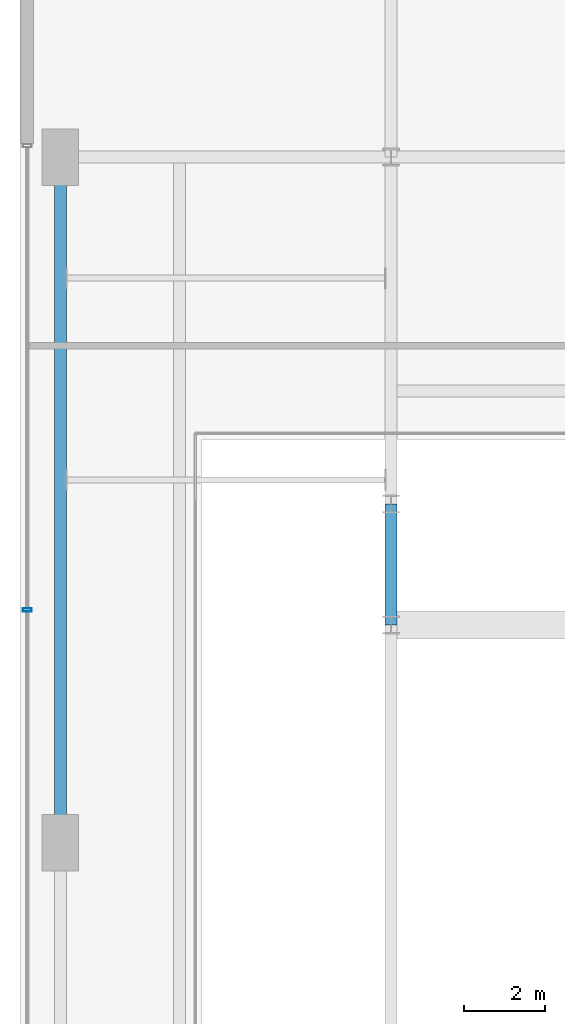
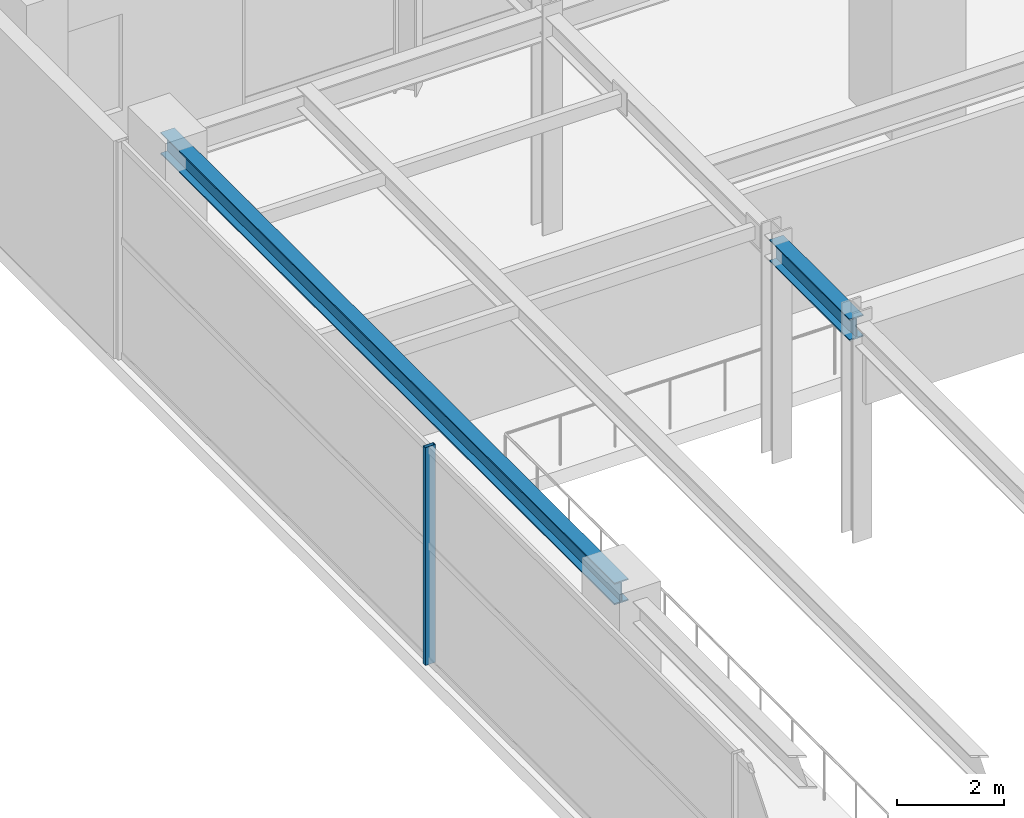
# One storey, part 10 of 35: 2 beams, 1 member, 1 element without a shape of its own.
"""IFC4 building model written with IfcOpenShell, lengths in metres."""

from ifc_helpers import new_model, si_unit, direction, frame, origin, origin_2d, place, context, subcontext, project, spatial, hollow_rectangle, i_section, extrude, source, transform, mapped, material, material_profile, profile_set, type_object, element, aggregate, save


model = new_model("IFC4")

# Units and contexts
model_context = context("Model", 3, precision=1e-05, world=origin(), true_north=direction((0.0, 1.0)))
body_context = subcontext(model_context, "Body", "Model", "MODEL_VIEW")
ifc_project = project(units=[si_unit("LENGTHUNIT", "METRE"), si_unit("AREAUNIT", "SQUARE_METRE"), si_unit("VOLUMEUNIT", "CUBIC_METRE"), si_unit("PLANEANGLEUNIT", "RADIAN"), si_unit("MASSUNIT", "GRAM", prefix="KILO")], contexts=[model_context])

# Site, building, storey
site_placement = place(None, origin())
site = spatial("IfcSite", under=ifc_project, at=site_placement, CompositionType="ELEMENT")
building_placement = place(site_placement, origin())
building = spatial("IfcBuilding", under=site, at=building_placement, Name="Nahalor Promenade Grand Hotel", CompositionType="ELEMENT")
storey_placement = place(building_placement, frame((0.0, 0.0, 21.60009765625)))
storey = spatial("IfcBuildingStorey", under=building, at=storey_placement, Name="L04", CompositionType="ELEMENT", Elevation=21.60009765625)

# Beams
ifc_material_1 = material(Name="Steel S355JR", Category="steel")
ifc_material_profile_1 = material_profile(ifc_material_1, i_section(OverallWidth=0.3, OverallDepth=0.5, WebThickness=0.0145, FlangeThickness=0.028, at=origin_2d()), Name="HEB 500")
ifc_profile_set_1 = profile_set([ifc_material_profile_1], Name="Steel S355JR")
beam_type = type_object("IfcBeamType", Name="Beam-Spandrel-HEB500", PredefinedType="SPANDREL", material=ifc_profile_set_1)
shared_shape_1 = source(origin(), body_context, "Body", "SweptSolid", [
    extrude(i_section(OverallWidth=0.3, OverallDepth=0.5, WebThickness=0.0145, FlangeThickness=0.028, at=origin_2d()), origin(), (0.0, 0.0, 1.0), 3.0),
])
beam_1_placement = place(storey_placement, frame((-24.800048828125, 5.39990234375, 4.72998046875), z_axis=(0.0, 1.0, 0.0), x_axis=(-1.0, 0.0, 0.0)))
element("IfcBeam", 1, at=beam_1_placement, inside=storey, type_object=beam_type, Name="BM-L04-SP-W-3", PredefinedType="SPANDREL", context=body_context, shape_type="MappedRepresentation", body=[
    mapped(shared_shape_1, transform((0.0, 0.0, 0.0), scale=1.0)),
])
shared_shape_2 = source(origin(), body_context, "Body", "SweptSolid", [
    extrude(i_section(OverallWidth=0.3, OverallDepth=0.5, WebThickness=0.0145, FlangeThickness=0.028, at=origin_2d()), origin(), (0.0, 0.0, 1.0), 17.0),
])
beam_2_placement = place(storey_placement, frame((-33.0, 0.0, 4.83984375), z_axis=(0.0, 1.0, 0.0), x_axis=(-1.0, 0.0, 0.0)))
element("IfcBeam", 2, at=beam_2_placement, inside=storey, type_object=beam_type, Name="BM-L04-PW-2", PredefinedType="SPANDREL", context=body_context, shape_type="MappedRepresentation", body=[
    mapped(shared_shape_2, transform((0.0, 0.0, 0.0), scale=1.0)),
])

# Curtain wall, member
ifc_material_2 = material(Name="Anodised Bronze Aluminium EN AW-6063 T6", Category="aluminium")
curtain_wall_type = type_object("IfcCurtainWallType", Name="CW1 Waterfront Podium Bronze Arcade Curtain Wall", PredefinedType="USERDEFINED", material=ifc_material_2)
curtain_wall_placement = place(storey_placement, origin())
curtain_wall = element("IfcCurtainWall", 3, at=curtain_wall_placement, inside=storey, type_object=curtain_wall_type, Name="L04 Curtain Wall CW-L04-W", ObjectType="UNITISED_CURTAIN_WALL", PredefinedType="USERDEFINED")
ifc_material_profile_2 = material_profile(ifc_material_2, hollow_rectangle(XDim=0.08, YDim=0.22, WallThickness=0.005, at=origin_2d()), Name="CWM 80x220x5")
ifc_profile_set_2 = profile_set([ifc_material_profile_2], Name="Anodised Bronze Aluminium EN AW-6063 T6")
member_type = type_object("IfcMemberType", Name="CWM1 Podium Bronze Mullion 80x220", PredefinedType="MULLION", material=ifc_profile_set_2)
shared_shape_3 = source(origin(), body_context, "Body", "SweptSolid", [
    extrude(hollow_rectangle(XDim=0.08, YDim=0.22, WallThickness=0.005, at=origin_2d()), origin(), (0.0, 0.0, 1.0), 4.97998046875),
])
member_placement = place(storey_placement, frame((-33.820068359375, 5.7734375, 0.0), z_axis=(0.0, 0.0, 1.0), x_axis=(0.0, 1.0, 0.0)))
member = element("IfcMember", 4, at=member_placement, type_object=member_type, Name="CW-L04-W Mullion 2", PredefinedType="MULLION", context=body_context, shape_type="MappedRepresentation", body=[
    mapped(shared_shape_3, transform((0.0, 0.0, 0.0), scale=1.0)),
])
aggregate(curtain_wall, [member])

save(model, "model.ifc")
